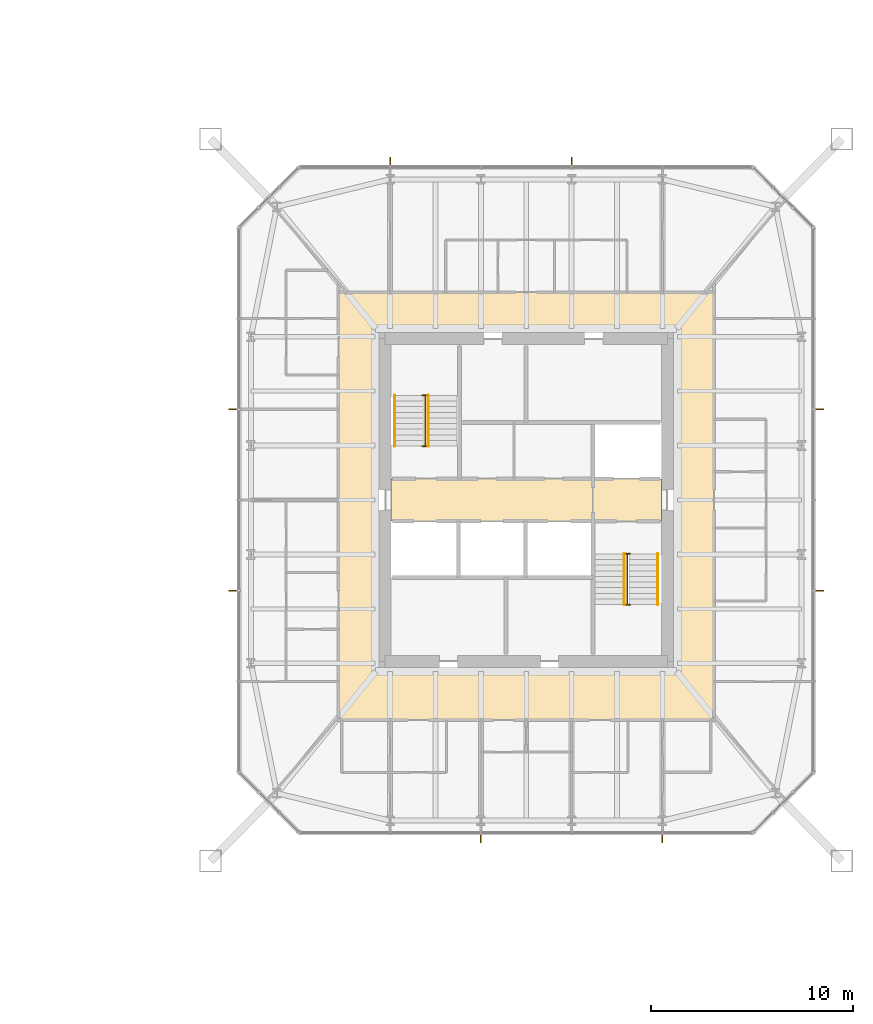
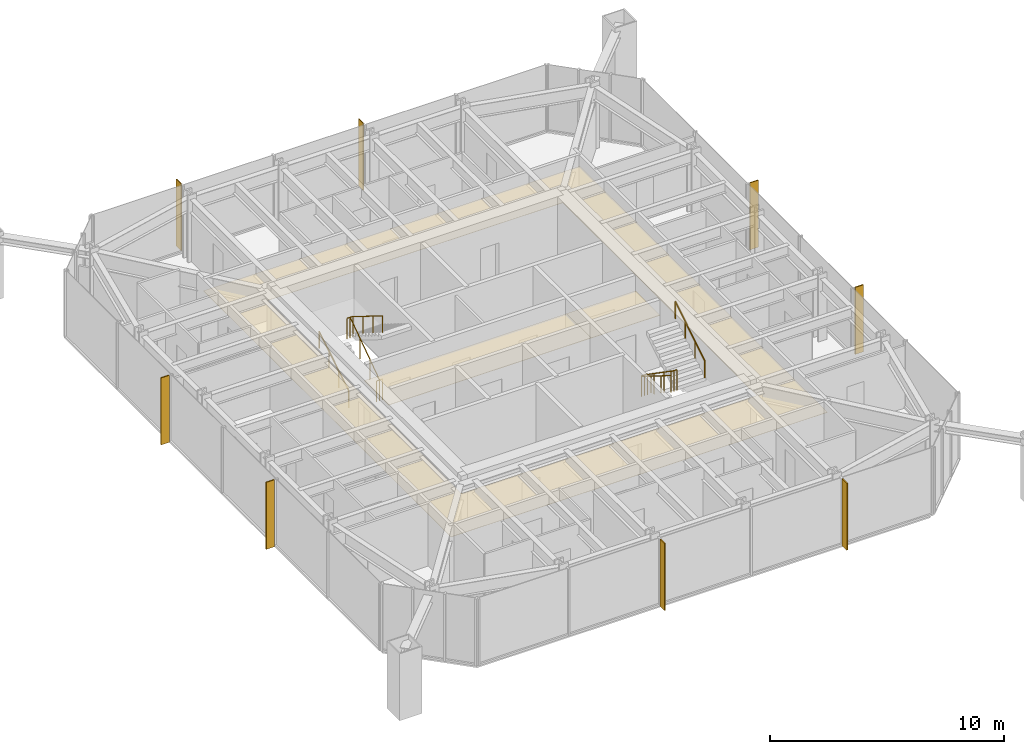
# One storey, part 25 of 25: 8 shading devices, 6 railings, 3 coverings.
"""IFC4 building model written with IfcOpenShell, lengths in metres."""

from ifc_helpers import new_model, si_unit, direction, frame, origin, origin_2d, place, context, subcontext, project, spatial, polyline, rectangle, circle, outline, extrude, material, layer, layer_set, constituent, constituent_set, type_object, element, save


model = new_model("IFC4")

# Units and contexts
model_context = context("Model", 3, precision=1e-05, world=origin(), true_north=direction((0.0, 1.0)))
body_context = subcontext(model_context, "Body", "Model", "MODEL_VIEW")
ifc_project = project(units=[si_unit("LENGTHUNIT", "METRE"), si_unit("AREAUNIT", "SQUARE_METRE"), si_unit("VOLUMEUNIT", "CUBIC_METRE"), si_unit("PLANEANGLEUNIT", "RADIAN"), si_unit("MASSUNIT", "GRAM", prefix="KILO")], contexts=[model_context])

# Site, building, storey
site_placement = place(None, origin())
site = spatial("IfcSite", under=ifc_project, at=site_placement, CompositionType="ELEMENT")
building_placement = place(site_placement, origin())
building = spatial("IfcBuilding", under=site, at=building_placement, Name="Iwan Alto Co-Living Towers", CompositionType="ELEMENT")
storey_placement = place(building_placement, frame((0.0, 0.0, 84.0)))
storey = spatial("IfcBuildingStorey", under=building, at=storey_placement, Name="L22", CompositionType="ELEMENT", Elevation=84.0)

# Coverings
ifc_material_1 = material(Name="Mineral fibre acoustic tiles on steel grid", Category="steel")
ifc_layer_1 = layer(ifc_material_1, 0.02001953125)
ifc_layer_set_1 = layer_set([ifc_layer_1], Name="ACOUSTIC TILE CEILING 20")
covering_type_1 = type_object("IfcCoveringType", Name="ACOUSTIC TILE CEILING 20", PredefinedType="CEILING", material=ifc_layer_set_1)
covering_1_placement = place(storey_placement, frame((0.0, 0.0, 2.60009765625)))
element("IfcCovering", 1, at=covering_1_placement, inside=storey, type_object=covering_type_1, Name="Ceiling Lift lobby L22", PredefinedType="CEILING", context=body_context, shape_type="SweptSolid", body=[
    extrude(outline(polyline([(56.300048828125, -1.050048828125), (56.300048828125, 1.050048828125), (66.300048828125, 1.050048828125), (66.300048828125, -1.050048828125), (56.300048828125, -1.050048828125)])), origin(), (0.0, 0.0, 1.0), 0.02001953125),
])
covering_2_placement = place(storey_placement, frame((0.0, 0.0, 2.60009765625)))
element("IfcCovering", 2, at=covering_2_placement, inside=storey, type_object=covering_type_1, Name="Ceiling Firefighting lobby L22", PredefinedType="CEILING", context=body_context, shape_type="SweptSolid", body=[
    extrude(outline(polyline([(66.300048828125, -1.050048828125), (66.300048828125, 1.050048828125), (69.699951171875, 1.050048828125), (69.699951171875, -1.050048828125), (66.300048828125, -1.050048828125)])), origin(), (0.0, 0.0, 1.0), 0.02001953125),
])

# Shading devices
ifc_material_2 = material(Name="Aluminium 6063-T6 bronze anodised", Category="aluminium")
ifc_layer_2 = layer(ifc_material_2, 0.050048828125)
ifc_layer_set_2 = layer_set([ifc_layer_2], Name="BRONZE FIN 50X400")
shading_device_type = type_object("IfcShadingDeviceType", Name="BRONZE FIN 50X400", PredefinedType="USERDEFINED", material=ifc_layer_set_2)
for number, where, z_axis, x_axis, name in (
    (3, (60.75, -16.800048828125, 0.0), (0.0, 0.0, 1.0), (1.0, 0.0, 0.0), "Bronze fin L22"),
    (4, (69.75, -16.800048828125, 0.0), (0.0, 0.0, 1.0), (1.0, 0.0, 0.0), "Bronze fin L22"),
    (5, (77.550048828125, -4.5, 0.0), (0.0, 0.0, 1.0), (0.0, 1.0, 0.0), "Bronze fin L22"),
    (6, (77.550048828125, 4.5, 0.0), (0.0, 0.0, 1.0), (0.0, 1.0, 0.0), "Bronze fin L22"),
    (7, (65.25, 16.800048828125, 0.0), (0.0, 0.0, 1.0), (-1.0, 0.0, 0.0), "Bronze fin L22"),
    (8, (56.25, 16.800048828125, 0.0), (0.0, 0.0, 1.0), (-1.0, 0.0, 0.0), "Bronze fin L22"),
    (9, (48.449951171875, 4.5, 0.0), (0.0, 0.0, 1.0), (0.0, -1.0, 0.0), "Bronze fin L22"),
    (10, (48.449951171875, -4.5, 0.0), (0.0, 0.0, 1.0), (0.0, -1.0, 0.0), "Bronze fin L22"),
):
    element("IfcShadingDevice", number, at=place(storey_placement, frame(where, z_axis=z_axis, x_axis=x_axis)), inside=storey, type_object=shading_device_type, Name=name, ObjectType="LOUVER", PredefinedType="USERDEFINED", context=body_context, shape_type="SweptSolid", body=[
        extrude(rectangle(XDim=0.050048828125, YDim=0.39990234375, at=origin_2d()), origin(), (0.0, 0.0, 1.0), 3.5),
    ])

# Railings
ifc_material_3 = material(Name="Steel ASTM A500 Gr C", Category="steel")
ifc_constituent_1 = constituent(ifc_material_3, Name="Rails and posts", Category="Framing")
ifc_material_4 = material(Name="Steel ASTM A36", Category="steel")
ifc_constituent_2 = constituent(ifc_material_4, Name="Bar infill", Category="Infill")
ifc_constituent_set = constituent_set(constituents=[ifc_constituent_1, ifc_constituent_2], Name="STAIR GUARD 1100")
railing_type_1 = type_object("IfcRailingType", Name="STAIR GUARD 1100", PredefinedType="GUARDRAIL", material=ifc_constituent_set)
railing_1_placement = place(storey_placement, frame((58.0, 2.669921875, 0.0)))
element("IfcRailing", 11, at=railing_1_placement, inside=storey, type_object=railing_type_1, Name="Stair T2-S1 well guard L22", PredefinedType="GUARDRAIL", context=body_context, shape_type="SweptSolid", body=[
    extrude(circle(Radius=0.02392578125, at=origin_2d()), frame((0.0, 0.0, 1.076171875), z_axis=(0.0, 0.821372036852, 0.570392826987), x_axis=(-1.0, 0.0, 0.0)), (0.0, 0.0, 1.0), 3.068115234375),
    extrude(circle(Radius=0.02392578125, at=origin_2d()), frame((-0.14990234375, 0.0, 1.076171875), z_axis=(1.0, 0.0, 0.0), x_axis=(0.0, 1.0, 0.0)), (0.0, 0.0, 1.0), 0.2998046875),
    extrude(circle(Radius=0.02392578125, at=origin_2d()), frame((-0.14990234375, 2.52001953125, 2.826171875), z_axis=(1.0, 0.0, 0.0), x_axis=(0.0, 1.0, 0.0)), (0.0, 0.0, 1.0), 0.2998046875),
    extrude(circle(Radius=0.02099609375, at=origin_2d()), origin(), (0.0, 0.0, 1.0), 1.052001953125),
    extrude(circle(Radius=0.02099609375, at=origin_2d()), frame((0.0, 0.840087890625, 0.583251953125)), (0.0, 0.0, 1.0), 1.052001953125),
    extrude(circle(Radius=0.02099609375, at=origin_2d()), frame((0.0, 1.679931640625, 1.166748046875)), (0.0, 0.0, 1.0), 1.052001953125),
    extrude(circle(Radius=0.02099609375, at=origin_2d()), frame((0.0, 2.52001953125, 1.75)), (0.0, 0.0, 1.0), 1.052001953125),
    extrude(circle(Radius=0.02099609375, at=origin_2d()), frame((-0.14990234375, 0.0, 0.0)), (0.0, 0.0, 1.0), 1.052001953125),
    extrude(circle(Radius=0.02099609375, at=origin_2d()), frame((0.14990234375, 0.0, 0.0)), (0.0, 0.0, 1.0), 1.052001953125),
    extrude(circle(Radius=0.02099609375, at=origin_2d()), frame((-0.14990234375, 2.52001953125, 1.75)), (0.0, 0.0, 1.0), 1.052001953125),
    extrude(circle(Radius=0.02099609375, at=origin_2d()), frame((0.14990234375, 2.52001953125, 1.75)), (0.0, 0.0, 1.0), 1.052001953125),
])
railing_2_placement = place(storey_placement, frame((68.0, -2.669921875, 0.0)))
element("IfcRailing", 12, at=railing_2_placement, inside=storey, type_object=railing_type_1, Name="Stair T2-S2 well guard L22", PredefinedType="GUARDRAIL", context=body_context, shape_type="SweptSolid", body=[
    extrude(circle(Radius=0.02392578125, at=origin_2d()), frame((0.0, 0.0, 1.076171875), z_axis=(0.0, -0.821372036852, 0.570392826987), x_axis=(1.0, 0.0, 0.0)), (0.0, 0.0, 1.0), 3.068115234375),
    extrude(circle(Radius=0.02392578125, at=origin_2d()), frame((-0.14990234375, 0.0, 1.076171875), z_axis=(1.0, 0.0, 0.0), x_axis=(0.0, 1.0, 0.0)), (0.0, 0.0, 1.0), 0.2998046875),
    extrude(circle(Radius=0.02392578125, at=origin_2d()), frame((-0.14990234375, -2.52001953125, 2.826171875), z_axis=(1.0, 0.0, 0.0), x_axis=(0.0, 1.0, 0.0)), (0.0, 0.0, 1.0), 0.2998046875),
    extrude(circle(Radius=0.02099609375, at=origin_2d()), origin(), (0.0, 0.0, 1.0), 1.052001953125),
    extrude(circle(Radius=0.02099609375, at=origin_2d()), frame((0.0, -0.840087890625, 0.583251953125)), (0.0, 0.0, 1.0), 1.052001953125),
    extrude(circle(Radius=0.02099609375, at=origin_2d()), frame((0.0, -1.679931640625, 1.166748046875)), (0.0, 0.0, 1.0), 1.052001953125),
    extrude(circle(Radius=0.02099609375, at=origin_2d()), frame((0.0, -2.52001953125, 1.75)), (0.0, 0.0, 1.0), 1.052001953125),
    extrude(circle(Radius=0.02099609375, at=origin_2d()), frame((-0.14990234375, 0.0, 0.0)), (0.0, 0.0, 1.0), 1.052001953125),
    extrude(circle(Radius=0.02099609375, at=origin_2d()), frame((0.14990234375, 0.0, 0.0)), (0.0, 0.0, 1.0), 1.052001953125),
    extrude(circle(Radius=0.02099609375, at=origin_2d()), frame((-0.14990234375, -2.52001953125, 1.75)), (0.0, 0.0, 1.0), 1.052001953125),
    extrude(circle(Radius=0.02099609375, at=origin_2d()), frame((0.14990234375, -2.52001953125, 1.75)), (0.0, 0.0, 1.0), 1.052001953125),
])
ifc_material_5 = material(Name="Steel ASTM A500 Gr C", Category="steel")
railing_type_2 = type_object("IfcRailingType", Name="STAIR HANDRAIL 900", PredefinedType="HANDRAIL", material=ifc_material_5)
railing_3_placement = place(storey_placement, frame((56.469970703125, 2.669921875, 0.175048828125)))
element("IfcRailing", 13, at=railing_3_placement, inside=storey, type_object=railing_type_2, Name="Stair T2-S1 handrail 1 L22", PredefinedType="HANDRAIL", context=body_context, shape_type="SweptSolid", body=[
    extrude(circle(Radius=0.02392578125, at=origin_2d()), frame((0.0, 0.0, 0.8759765625), z_axis=(0.0, 0.848007534815, 0.529984170421), x_axis=(-1.0, 0.0, 0.0)), (0.0, 0.0, 1.0), 2.9716796875),
    extrude(circle(Radius=0.02099609375, at=origin_2d()), origin(), (0.0, 0.0, 1.0), 0.851806640625),
    extrude(circle(Radius=0.02099609375, at=origin_2d()), frame((0.0, 0.840087890625, 0.52490234375)), (0.0, 0.0, 1.0), 0.851806640625),
    extrude(circle(Radius=0.02099609375, at=origin_2d()), frame((0.0, 1.679931640625, 1.050048828125)), (0.0, 0.0, 1.0), 0.851806640625),
    extrude(circle(Radius=0.02099609375, at=origin_2d()), frame((0.0, 2.52001953125, 1.574951171875)), (0.0, 0.0, 1.0), 0.851806640625),
])
for number, where, name in (
    (14, (58.14990234375, 5.18994140625, 1.925048828125), "Stair T2-S1 handrail 2 L22"),
    (15, (67.85009765625, -2.669921875, 0.175048828125), "Stair T2-S2 handrail 1 L22"),
):
    element("IfcRailing", number, at=place(storey_placement, frame(where)), inside=storey, type_object=railing_type_2, Name=name, PredefinedType="HANDRAIL", context=body_context, shape_type="SweptSolid", body=[
        extrude(circle(Radius=0.02392578125, at=origin_2d()), frame((0.0, 0.0, 0.8759765625), z_axis=(0.0, -0.848007534815, 0.529984170421), x_axis=(1.0, 0.0, 0.0)), (0.0, 0.0, 1.0), 2.9716796875),
        extrude(circle(Radius=0.02099609375, at=origin_2d()), origin(), (0.0, 0.0, 1.0), 0.851806640625),
        extrude(circle(Radius=0.02099609375, at=origin_2d()), frame((0.0, -0.840087890625, 0.52490234375)), (0.0, 0.0, 1.0), 0.851806640625),
        extrude(circle(Radius=0.02099609375, at=origin_2d()), frame((0.0, -1.679931640625, 1.050048828125)), (0.0, 0.0, 1.0), 0.851806640625),
        extrude(circle(Radius=0.02099609375, at=origin_2d()), frame((0.0, -2.52001953125, 1.574951171875)), (0.0, 0.0, 1.0), 0.851806640625),
    ])
railing_4_placement = place(storey_placement, frame((69.530029296875, -5.18994140625, 1.925048828125)))
element("IfcRailing", 16, at=railing_4_placement, inside=storey, type_object=railing_type_2, Name="Stair T2-S2 handrail 2 L22", PredefinedType="HANDRAIL", context=body_context, shape_type="SweptSolid", body=[
    extrude(circle(Radius=0.02392578125, at=origin_2d()), frame((0.0, 0.0, 0.8759765625), z_axis=(0.0, 0.848007534815, 0.529984170421), x_axis=(-1.0, 0.0, 0.0)), (0.0, 0.0, 1.0), 2.9716796875),
    extrude(circle(Radius=0.02099609375, at=origin_2d()), origin(), (0.0, 0.0, 1.0), 0.851806640625),
    extrude(circle(Radius=0.02099609375, at=origin_2d()), frame((0.0, 0.840087890625, 0.52490234375)), (0.0, 0.0, 1.0), 0.851806640625),
    extrude(circle(Radius=0.02099609375, at=origin_2d()), frame((0.0, 1.679931640625, 1.050048828125)), (0.0, 0.0, 1.0), 0.851806640625),
    extrude(circle(Radius=0.02099609375, at=origin_2d()), frame((0.0, 2.52001953125, 1.574951171875)), (0.0, 0.0, 1.0), 0.851806640625),
])

# Covering
ifc_material_6 = material(Name="Gypsum plasterboard on steel grid", Category="steel")
ifc_layer_3 = layer(ifc_material_6, 0.014892578125)
ifc_layer_set_3 = layer_set([ifc_layer_3], Name="SUSPENDED PLASTERBOARD CEILING 15")
covering_type_2 = type_object("IfcCoveringType", Name="SUSPENDED PLASTERBOARD CEILING 15", PredefinedType="CEILING", material=ifc_layer_set_3)
covering_3_placement = place(storey_placement, frame((0.0, 0.0, 2.60009765625)))
element("IfcCovering", 17, at=covering_3_placement, inside=storey, type_object=covering_type_2, Name="Ceiling Corridor L22", PredefinedType="CEILING", context=body_context, shape_type="SweptSolid", body=[
    extrude(outline(polyline([(53.699951171875, 10.300048828125), (72.300048828125, 10.300048828125), (72.300048828125, -10.89990234375), (53.699951171875, -10.89990234375), (53.699951171875, 10.300048828125)]), holes=[polyline([(55.699951171875, 8.300048828125), (55.699951171875, -8.300048828125), (70.300048828125, -8.300048828125), (70.300048828125, 8.300048828125), (55.699951171875, 8.300048828125)])]), origin(), (0.0, 0.0, 1.0), 0.014892578125),
])

save(model, "model.ifc")
